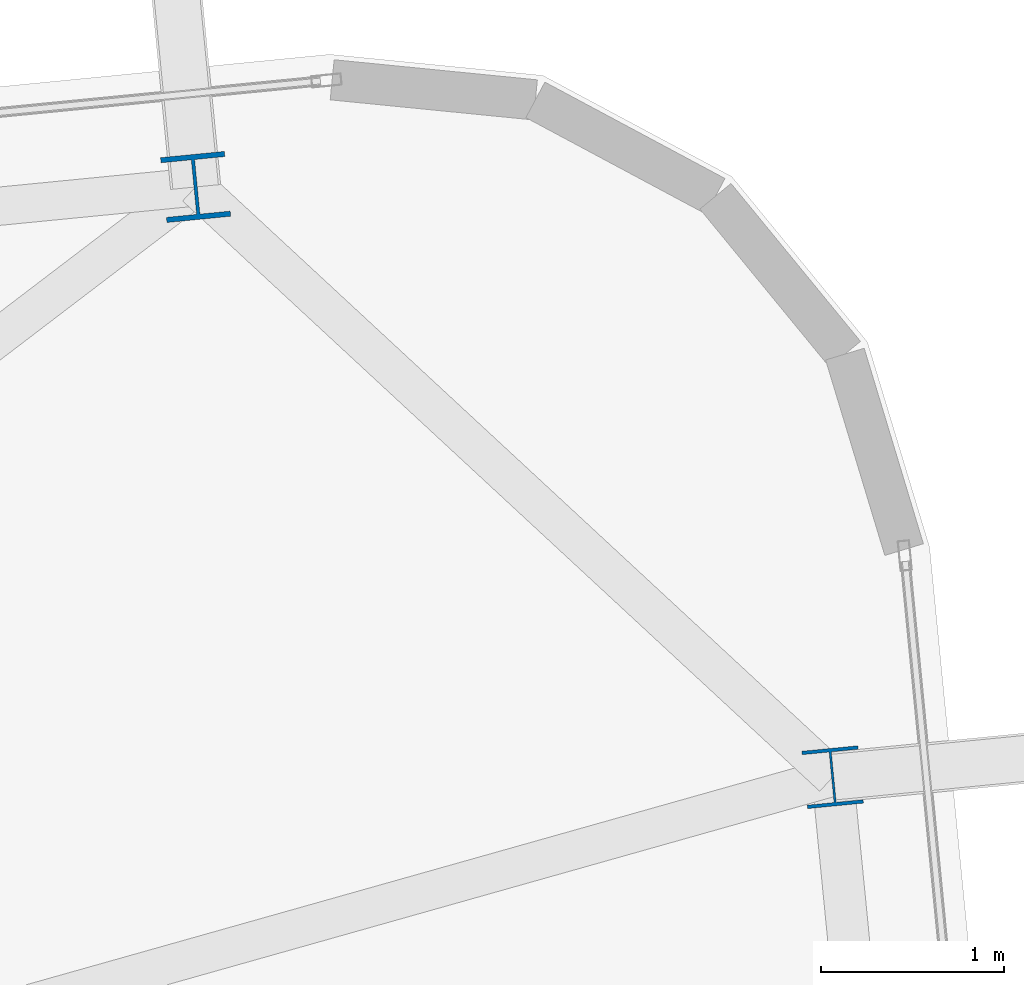
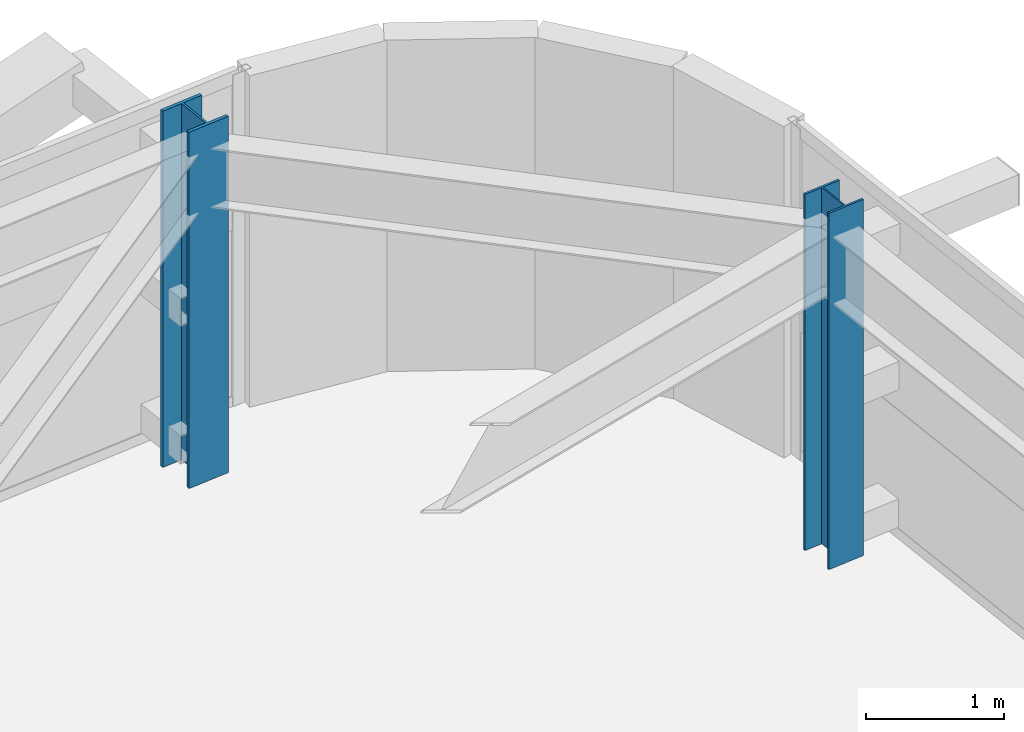
# One storey, part 4 of 47: 2 columns.
"""IFC4 building model written with IfcOpenShell, lengths in metres."""

from ifc_helpers import new_model, si_unit, direction, frame, origin, origin_2d, place, context, subcontext, project, spatial, i_section, extrude, source, transform, mapped, material, material_profile, profile_set, type_object, element, save


model = new_model("IFC4")

# Units and contexts
model_context = context("Model", 3, precision=1e-05, world=origin(), true_north=direction((0.0, 1.0)))
body_context = subcontext(model_context, "Body", "Model", "MODEL_VIEW")
ifc_project = project(units=[si_unit("LENGTHUNIT", "METRE"), si_unit("AREAUNIT", "SQUARE_METRE"), si_unit("VOLUMEUNIT", "CUBIC_METRE"), si_unit("PLANEANGLEUNIT", "RADIAN"), si_unit("MASSUNIT", "GRAM", prefix="KILO")], contexts=[model_context])

# Site, building, storey
site_placement = place(None, origin())
site = spatial("IfcSite", under=ifc_project, at=site_placement, CompositionType="ELEMENT")
building_placement = place(site_placement, origin())
building = spatial("IfcBuilding", under=site, at=building_placement, Name="Taldren Reach Tower", CompositionType="ELEMENT")
storey_placement = place(building_placement, frame((0.0, 0.0, 87.14990234375)))
storey = spatial("IfcBuildingStorey", under=building, at=storey_placement, Name="L26", CompositionType="ELEMENT", Elevation=87.14990234375)

# Columns
ifc_material = material(Name="Steel Gr 350 (350PLUS)", Category="steel")
ifc_material_profile_1 = material_profile(ifc_material, i_section(OverallWidth=0.35009765625, OverallDepth=0.35595703125, WebThickness=0.01806640625, FlangeThickness=0.028076171875, at=origin_2d()), Name="350WC197")
ifc_profile_set_1 = profile_set([ifc_material_profile_1], Name="Steel Gr 350 (350PLUS)")
column_type_1 = type_object("IfcColumnType", Name="COL-WC350", PredefinedType="COLUMN", material=ifc_profile_set_1)
shared_shape_1 = source(origin(), body_context, "Body", "SweptSolid", [
    extrude(i_section(OverallWidth=0.35009765625, OverallDepth=0.35595703125, WebThickness=0.01806640625, FlangeThickness=0.028076171875, at=origin_2d()), origin(), (0.0, 0.0, 1.0), 3.150146484375),
])
column_1_placement = place(storey_placement, frame((59.765869140625, 38.679931640625, 0.0), z_axis=(0.0, 0.0, 1.0), x_axis=(0.995227399982, 0.097582899759, 0.0)))
element("IfcColumn", 1, at=column_1_placement, inside=storey, type_object=column_type_1, Name="Block B2 perimeter column N6 L26", PredefinedType="COLUMN", context=body_context, shape_type="MappedRepresentation", body=[
    mapped(shared_shape_1, transform((0.0, 0.0, 0.0), scale=1.0)),
])
ifc_material_profile_2 = material_profile(ifc_material, i_section(OverallWidth=0.306884765625, OverallDepth=0.31494140625, WebThickness=0.011962890625, FlangeThickness=0.018798828125, at=origin_2d()), Name="310UC118")
ifc_profile_set_2 = profile_set([ifc_material_profile_2], Name="Steel Gr 350 (350PLUS)")
column_type_2 = type_object("IfcColumnType", Name="COL-UC310B", PredefinedType="COLUMN", material=ifc_profile_set_2)
shared_shape_2 = source(origin(), body_context, "Body", "SweptSolid", [
    extrude(i_section(OverallWidth=0.306884765625, OverallDepth=0.31494140625, WebThickness=0.011962890625, FlangeThickness=0.018798828125, at=origin_2d()), origin(), (0.0, 0.0, 1.0), 3.150146484375),
])
column_2_placement = place(storey_placement, frame((63.247314453125, 35.454345703125, 0.0), z_axis=(0.0, 0.0, 1.0), x_axis=(0.995227399982, 0.097582899759, 0.0)))
element("IfcColumn", 2, at=column_2_placement, inside=storey, type_object=column_type_2, Name="Block B2 perimeter column E3 L26", PredefinedType="COLUMN", context=body_context, shape_type="MappedRepresentation", body=[
    mapped(shared_shape_2, transform((0.0, 0.0, 0.0), scale=1.0)),
])

save(model, "model.ifc")
